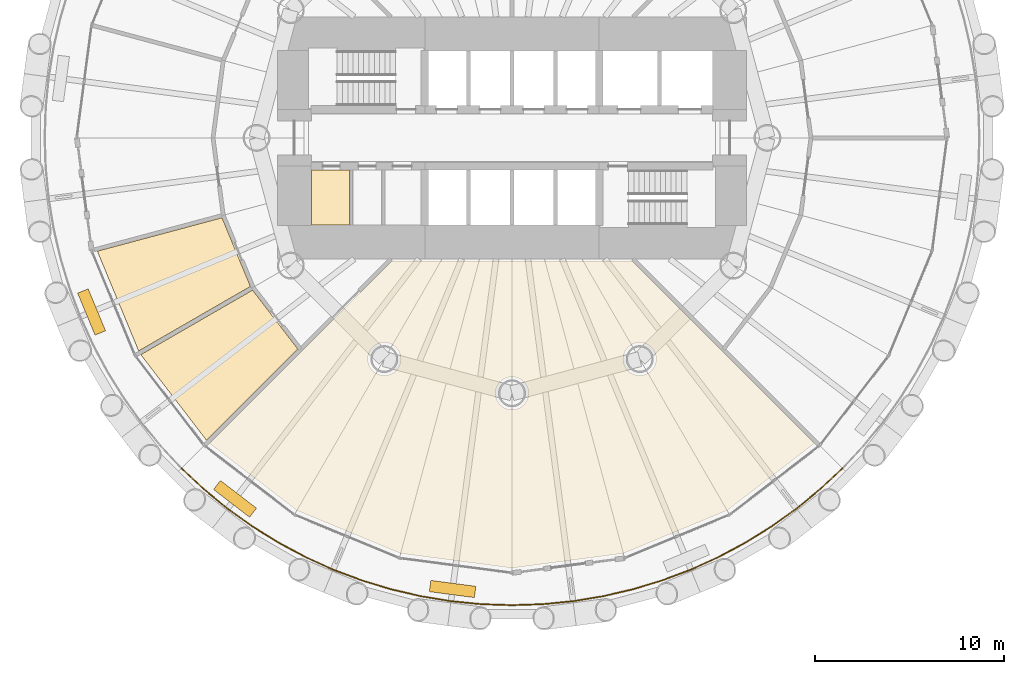
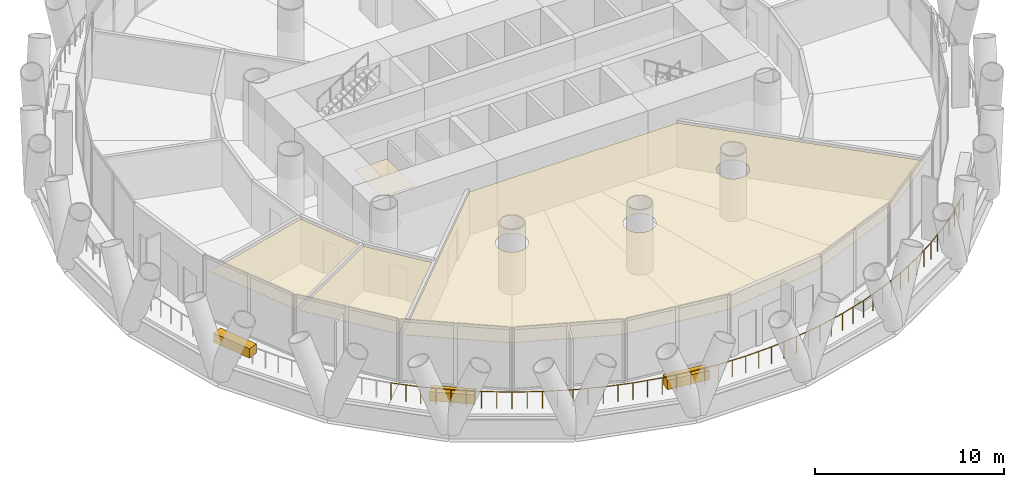
# One storey, part 11 of 14: 7 coverings, 1 railing.
"""IFC4 building model written with IfcOpenShell, lengths in metres."""

from ifc_helpers import new_model, si_unit, direction, frame, origin, origin_2d, place, context, subcontext, project, spatial, polyline, rectangle, circle, outline, extrude, material, layer, layer_set, type_object, element, save


model = new_model("IFC4")

# Units and contexts
model_context = context("Model", 3, precision=1e-05, world=origin(), true_north=direction((0.0, 1.0)))
body_context = subcontext(model_context, "Body", "Model", "MODEL_VIEW")
ifc_project = project(units=[si_unit("LENGTHUNIT", "METRE"), si_unit("AREAUNIT", "SQUARE_METRE"), si_unit("VOLUMEUNIT", "CUBIC_METRE"), si_unit("PLANEANGLEUNIT", "RADIAN"), si_unit("MASSUNIT", "GRAM", prefix="KILO")], contexts=[model_context])

# Site, building, storey
site_placement = place(None, origin())
site = spatial("IfcSite", under=ifc_project, at=site_placement, CompositionType="ELEMENT")
building_placement = place(site_placement, origin())
building = spatial("IfcBuilding", under=site, at=building_placement, Name="Qaws Media Tower", CompositionType="ELEMENT")
storey_placement = place(building_placement, frame((0.0, 0.0, 68.0)))
storey = spatial("IfcBuildingStorey", under=building, at=storey_placement, Name="L14", CompositionType="ELEMENT", Elevation=68.0)

# Railing
ifc_material_1 = material(Name="Stainless steel and glass guard", Category="steel")
railing_type = type_object("IfcRailingType", Name="Balcony guard 1100", PredefinedType="GUARDRAIL", material=ifc_material_1)
railing_placement = place(storey_placement, frame((42.534423828125, 32.534423828125, 0.0)))
element("IfcRailing", 1, at=railing_placement, inside=storey, type_object=railing_type, Name="GR1 balcony guard L14-3", PredefinedType="GUARDRAIL", context=body_context, shape_type="SweptSolid", body=[
    extrude(circle(Radius=0.02392578125, at=origin_2d()), frame((0.0, 0.0, 1.076171875), z_axis=(0.729838590748, -0.683619507807, 0.0), x_axis=(0.683619507807, 0.729838590748, 0.0)), (0.0, 0.0, 1.0), 1.616455078125),
    extrude(circle(Radius=0.02392578125, at=origin_2d()), frame((1.1796875, -1.10498046875, 1.076171875), z_axis=(0.773027789123, -0.63437215989, 0.0), x_axis=(0.63437215989, 0.773027789123, 0.0)), (0.0, 0.0, 1.0), 1.616455078125),
    extrude(circle(Radius=0.02392578125, at=origin_2d()), frame((2.42919921875, -2.13037109375, 1.076171875), z_axis=(0.81284454393, -0.582480684147, 0.0), x_axis=(0.582480684147, 0.81284454393, 0.0)), (0.0, 0.0, 1.0), 1.6162109375),
    extrude(circle(Radius=0.02392578125, at=origin_2d()), frame((3.742919921875, -3.07177734375, 1.076171875), z_axis=(0.849201115053, -0.528069565675, 0.0), x_axis=(0.528069565675, 0.849201115053, 0.0)), (0.0, 0.0, 1.0), 1.6162109375),
    extrude(circle(Radius=0.02392578125, at=origin_2d()), frame((5.115478515625, -3.92529296875, 1.076171875), z_axis=(0.881921925102, -0.471395500641, 0.0), x_axis=(0.471395500641, 0.881921925102, 0.0)), (0.0, 0.0, 1.0), 1.616455078125),
    extrude(circle(Radius=0.02392578125, at=origin_2d()), frame((6.541015625, -4.687255859375, 1.076171875), z_axis=(0.910872765831, -0.412687296227, 0.0), x_axis=(0.412687296227, 0.910872765831, 0.0)), (0.0, 0.0, 1.0), 1.6162109375),
    extrude(circle(Radius=0.02392578125, at=origin_2d()), frame((8.01318359375, -5.354248046875, 1.076171875), z_axis=(0.935925126575, -0.352199031011, 0.0), x_axis=(0.352199031011, 0.935925126575, 0.0)), (0.0, 0.0, 1.0), 1.616455078125),
    extrude(circle(Radius=0.02392578125, at=origin_2d()), frame((9.526123046875, -5.923583984375, 1.076171875), z_axis=(0.956927798723, -0.290326003022, 0.0), x_axis=(0.290326003022, 0.956927798723, 0.0)), (0.0, 0.0, 1.0), 1.6162109375),
    extrude(circle(Radius=0.02392578125, at=origin_2d()), frame((11.07275390625, -6.392822265625, 1.076171875), z_axis=(0.973884647587, -0.227043372937, 0.0), x_axis=(0.227043372937, 0.973884647587, 0.0)), (0.0, 0.0, 1.0), 1.6162109375),
    extrude(circle(Radius=0.02392578125, at=origin_2d()), frame((12.646728515625, -6.759765625, 1.076171875), z_axis=(0.986633686094, -0.16295388754, 0.0), x_axis=(0.16295388754, 0.986633686094, 0.0)), (0.0, 0.0, 1.0), 1.61669921875),
    extrude(circle(Radius=0.02392578125, at=origin_2d()), frame((14.24169921875, -7.023193359375, 1.076171875), z_axis=(0.995182683651, -0.098037881252, 0.0), x_axis=(0.098037881252, 0.995182683651, 0.0)), (0.0, 0.0, 1.0), 1.6162109375),
    extrude(circle(Radius=0.02392578125, at=origin_2d()), frame((15.85009765625, -7.181640625, 1.076171875), z_axis=(0.999467636434, -0.032625813733, 0.0), x_axis=(0.032625813733, 0.999467636434, 0.0)), (0.0, 0.0, 1.0), 1.616455078125),
    extrude(circle(Radius=0.02392578125, at=origin_2d()), frame((17.465576171875, -7.234375, 1.076171875), z_axis=(0.999467636434, 0.032625813733, 0.0), x_axis=(-0.032625813733, 0.999467636434, 0.0)), (0.0, 0.0, 1.0), 1.616455078125),
    extrude(circle(Radius=0.02392578125, at=origin_2d()), frame((19.0810546875, -7.181640625, 1.076171875), z_axis=(0.995182683651, 0.098037881252, 0.0), x_axis=(-0.098037881252, 0.995182683651, 0.0)), (0.0, 0.0, 1.0), 1.6162109375),
    extrude(circle(Radius=0.02392578125, at=origin_2d()), frame((20.689453125, -7.023193359375, 1.076171875), z_axis=(0.986633686094, 0.16295388754, 0.0), x_axis=(-0.16295388754, 0.986633686094, 0.0)), (0.0, 0.0, 1.0), 1.61669921875),
    extrude(circle(Radius=0.02392578125, at=origin_2d()), frame((22.284423828125, -6.759765625, 1.076171875), z_axis=(0.973884647587, 0.227043372937, 0.0), x_axis=(-0.227043372937, 0.973884647587, 0.0)), (0.0, 0.0, 1.0), 1.6162109375),
    extrude(circle(Radius=0.02392578125, at=origin_2d()), frame((23.8583984375, -6.392822265625, 1.076171875), z_axis=(0.956927798723, 0.290326003022, 0.0), x_axis=(-0.290326003022, 0.956927798723, 0.0)), (0.0, 0.0, 1.0), 1.6162109375),
    extrude(circle(Radius=0.02392578125, at=origin_2d()), frame((25.405029296875, -5.923583984375, 1.076171875), z_axis=(0.935925126575, 0.352199031011, 0.0), x_axis=(-0.352199031011, 0.935925126575, 0.0)), (0.0, 0.0, 1.0), 1.616455078125),
    extrude(circle(Radius=0.02392578125, at=origin_2d()), frame((26.91796875, -5.354248046875, 1.076171875), z_axis=(0.910872765831, 0.412687296227, 0.0), x_axis=(-0.412687296227, 0.910872765831, 0.0)), (0.0, 0.0, 1.0), 1.6162109375),
    extrude(circle(Radius=0.02392578125, at=origin_2d()), frame((28.39013671875, -4.687255859375, 1.076171875), z_axis=(0.881921925102, 0.471395500641, 0.0), x_axis=(-0.471395500641, 0.881921925102, 0.0)), (0.0, 0.0, 1.0), 1.616455078125),
    extrude(circle(Radius=0.02392578125, at=origin_2d()), frame((29.815673828125, -3.92529296875, 1.076171875), z_axis=(0.849201115053, 0.528069565675, 0.0), x_axis=(-0.528069565675, 0.849201115053, 0.0)), (0.0, 0.0, 1.0), 1.6162109375),
    extrude(circle(Radius=0.02392578125, at=origin_2d()), frame((31.188232421875, -3.07177734375, 1.076171875), z_axis=(0.81284454393, 0.582480684147, 0.0), x_axis=(-0.582480684147, 0.81284454393, 0.0)), (0.0, 0.0, 1.0), 1.6162109375),
    extrude(circle(Radius=0.02392578125, at=origin_2d()), frame((32.501953125, -2.13037109375, 1.076171875), z_axis=(0.773027789123, 0.63437215989, 0.0), x_axis=(-0.63437215989, 0.773027789123, 0.0)), (0.0, 0.0, 1.0), 1.616455078125),
    extrude(circle(Radius=0.02392578125, at=origin_2d()), frame((33.75146484375, -1.10498046875, 1.076171875), z_axis=(0.729838590748, 0.683619507807, 0.0), x_axis=(-0.683619507807, 0.729838590748, 0.0)), (0.0, 0.0, 1.0), 1.616455078125),
    extrude(circle(Radius=0.02099609375, at=origin_2d()), origin(), (0.0, 0.0, 1.0), 1.052001953125),
    extrude(circle(Radius=0.02099609375, at=origin_2d()), frame((0.58984375, -0.552490234375, 0.0)), (0.0, 0.0, 1.0), 1.052001953125),
    extrude(circle(Radius=0.02099609375, at=origin_2d()), frame((1.1796875, -1.10498046875, 0.0)), (0.0, 0.0, 1.0), 1.052001953125),
    extrude(circle(Radius=0.02099609375, at=origin_2d()), frame((1.804443359375, -1.61767578125, 0.0)), (0.0, 0.0, 1.0), 1.052001953125),
    extrude(circle(Radius=0.02099609375, at=origin_2d()), frame((2.42919921875, -2.13037109375, 0.0)), (0.0, 0.0, 1.0), 1.052001953125),
    extrude(circle(Radius=0.02099609375, at=origin_2d()), frame((3.0859375, -2.60107421875, 0.0)), (0.0, 0.0, 1.0), 1.052001953125),
    extrude(circle(Radius=0.02099609375, at=origin_2d()), frame((3.742919921875, -3.07177734375, 0.0)), (0.0, 0.0, 1.0), 1.052001953125),
    extrude(circle(Radius=0.02099609375, at=origin_2d()), frame((4.42919921875, -3.49853515625, 0.0)), (0.0, 0.0, 1.0), 1.052001953125),
    extrude(circle(Radius=0.02099609375, at=origin_2d()), frame((5.115478515625, -3.92529296875, 0.0)), (0.0, 0.0, 1.0), 1.052001953125),
    extrude(circle(Radius=0.02099609375, at=origin_2d()), frame((5.828125, -4.30615234375, 0.0)), (0.0, 0.0, 1.0), 1.052001953125),
    extrude(circle(Radius=0.02099609375, at=origin_2d()), frame((6.541015625, -4.687255859375, 0.0)), (0.0, 0.0, 1.0), 1.052001953125),
    extrude(circle(Radius=0.02099609375, at=origin_2d()), frame((7.277099609375, -5.020751953125, 0.0)), (0.0, 0.0, 1.0), 1.052001953125),
    extrude(circle(Radius=0.02099609375, at=origin_2d()), frame((8.01318359375, -5.354248046875, 0.0)), (0.0, 0.0, 1.0), 1.052001953125),
    extrude(circle(Radius=0.02099609375, at=origin_2d()), frame((8.76953125, -5.638916015625, 0.0)), (0.0, 0.0, 1.0), 1.052001953125),
    extrude(circle(Radius=0.02099609375, at=origin_2d()), frame((9.526123046875, -5.923583984375, 0.0)), (0.0, 0.0, 1.0), 1.052001953125),
    extrude(circle(Radius=0.02099609375, at=origin_2d()), frame((10.29931640625, -6.158203125, 0.0)), (0.0, 0.0, 1.0), 1.052001953125),
    extrude(circle(Radius=0.02099609375, at=origin_2d()), frame((11.07275390625, -6.392822265625, 0.0)), (0.0, 0.0, 1.0), 1.052001953125),
    extrude(circle(Radius=0.02099609375, at=origin_2d()), frame((11.85986328125, -6.576171875, 0.0)), (0.0, 0.0, 1.0), 1.052001953125),
    extrude(circle(Radius=0.02099609375, at=origin_2d()), frame((12.646728515625, -6.759765625, 0.0)), (0.0, 0.0, 1.0), 1.052001953125),
    extrude(circle(Radius=0.02099609375, at=origin_2d()), frame((13.4443359375, -6.8916015625, 0.0)), (0.0, 0.0, 1.0), 1.052001953125),
    extrude(circle(Radius=0.02099609375, at=origin_2d()), frame((14.24169921875, -7.023193359375, 0.0)), (0.0, 0.0, 1.0), 1.052001953125),
    extrude(circle(Radius=0.02099609375, at=origin_2d()), frame((15.0458984375, -7.1025390625, 0.0)), (0.0, 0.0, 1.0), 1.052001953125),
    extrude(circle(Radius=0.02099609375, at=origin_2d()), frame((15.85009765625, -7.181640625, 0.0)), (0.0, 0.0, 1.0), 1.052001953125),
    extrude(circle(Radius=0.02099609375, at=origin_2d()), frame((16.65771484375, -7.2080078125, 0.0)), (0.0, 0.0, 1.0), 1.052001953125),
    extrude(circle(Radius=0.02099609375, at=origin_2d()), frame((17.465576171875, -7.234375, 0.0)), (0.0, 0.0, 1.0), 1.052001953125),
    extrude(circle(Radius=0.02099609375, at=origin_2d()), frame((18.2734375, -7.2080078125, 0.0)), (0.0, 0.0, 1.0), 1.052001953125),
    extrude(circle(Radius=0.02099609375, at=origin_2d()), frame((19.0810546875, -7.181640625, 0.0)), (0.0, 0.0, 1.0), 1.052001953125),
    extrude(circle(Radius=0.02099609375, at=origin_2d()), frame((19.88525390625, -7.1025390625, 0.0)), (0.0, 0.0, 1.0), 1.052001953125),
    extrude(circle(Radius=0.02099609375, at=origin_2d()), frame((20.689453125, -7.023193359375, 0.0)), (0.0, 0.0, 1.0), 1.052001953125),
    extrude(circle(Radius=0.02099609375, at=origin_2d()), frame((21.48681640625, -6.8916015625, 0.0)), (0.0, 0.0, 1.0), 1.052001953125),
    extrude(circle(Radius=0.02099609375, at=origin_2d()), frame((22.284423828125, -6.759765625, 0.0)), (0.0, 0.0, 1.0), 1.052001953125),
    extrude(circle(Radius=0.02099609375, at=origin_2d()), frame((23.0712890625, -6.576171875, 0.0)), (0.0, 0.0, 1.0), 1.052001953125),
    extrude(circle(Radius=0.02099609375, at=origin_2d()), frame((23.8583984375, -6.392822265625, 0.0)), (0.0, 0.0, 1.0), 1.052001953125),
    extrude(circle(Radius=0.02099609375, at=origin_2d()), frame((24.6318359375, -6.158203125, 0.0)), (0.0, 0.0, 1.0), 1.052001953125),
    extrude(circle(Radius=0.02099609375, at=origin_2d()), frame((25.405029296875, -5.923583984375, 0.0)), (0.0, 0.0, 1.0), 1.052001953125),
    extrude(circle(Radius=0.02099609375, at=origin_2d()), frame((26.16162109375, -5.638916015625, 0.0)), (0.0, 0.0, 1.0), 1.052001953125),
    extrude(circle(Radius=0.02099609375, at=origin_2d()), frame((26.91796875, -5.354248046875, 0.0)), (0.0, 0.0, 1.0), 1.052001953125),
    extrude(circle(Radius=0.02099609375, at=origin_2d()), frame((27.654052734375, -5.020751953125, 0.0)), (0.0, 0.0, 1.0), 1.052001953125),
    extrude(circle(Radius=0.02099609375, at=origin_2d()), frame((28.39013671875, -4.687255859375, 0.0)), (0.0, 0.0, 1.0), 1.052001953125),
    extrude(circle(Radius=0.02099609375, at=origin_2d()), frame((29.10302734375, -4.30615234375, 0.0)), (0.0, 0.0, 1.0), 1.052001953125),
    extrude(circle(Radius=0.02099609375, at=origin_2d()), frame((29.815673828125, -3.92529296875, 0.0)), (0.0, 0.0, 1.0), 1.052001953125),
    extrude(circle(Radius=0.02099609375, at=origin_2d()), frame((30.501953125, -3.49853515625, 0.0)), (0.0, 0.0, 1.0), 1.052001953125),
    extrude(circle(Radius=0.02099609375, at=origin_2d()), frame((31.188232421875, -3.07177734375, 0.0)), (0.0, 0.0, 1.0), 1.052001953125),
    extrude(circle(Radius=0.02099609375, at=origin_2d()), frame((31.84521484375, -2.60107421875, 0.0)), (0.0, 0.0, 1.0), 1.052001953125),
    extrude(circle(Radius=0.02099609375, at=origin_2d()), frame((32.501953125, -2.13037109375, 0.0)), (0.0, 0.0, 1.0), 1.052001953125),
    extrude(circle(Radius=0.02099609375, at=origin_2d()), frame((33.126708984375, -1.61767578125, 0.0)), (0.0, 0.0, 1.0), 1.052001953125),
    extrude(circle(Radius=0.02099609375, at=origin_2d()), frame((33.75146484375, -1.10498046875, 0.0)), (0.0, 0.0, 1.0), 1.052001953125),
    extrude(circle(Radius=0.02099609375, at=origin_2d()), frame((34.34130859375, -0.552490234375, 0.0)), (0.0, 0.0, 1.0), 1.052001953125),
    extrude(circle(Radius=0.02099609375, at=origin_2d()), frame((34.93115234375, 0.0, 0.0)), (0.0, 0.0, 1.0), 1.052001953125),
])

# Coverings
ifc_material_2 = material(Name="600 x 600 mineral fibre tiles in exposed grid, suspended", Category="mineral fibre")
ifc_layer_1 = layer(ifc_material_2, 0.02001953125)
ifc_layer_set_1 = layer_set([ifc_layer_1], Name="Mineral fibre tile ceiling 20")
covering_type_1 = type_object("IfcCoveringType", Name="Mineral fibre tile ceiling 20", PredefinedType="CEILING", material=ifc_layer_set_1)
covering_1_placement = place(storey_placement, frame((0.0, 0.0, 2.85009765625)))
element("IfcCovering", 2, at=covering_1_placement, inside=storey, type_object=covering_type_1, Name="CL1 ceiling L14-07 Gents toilets", PredefinedType="CEILING", context=body_context, shape_type="SweptSolid", body=[
    extrude(outline(polyline([(38.0830078125, 44.010986328125), (44.672119140625, 45.776611328125), (46.175048828125, 42.148193359375), (40.267333984375, 38.7373046875), (38.0830078125, 44.010986328125)])), origin(), (0.0, 0.0, 1.0), 0.02001953125),
])
covering_2_placement = place(storey_placement, frame((0.0, 0.0, 2.85009765625)))
element("IfcCovering", 3, at=covering_2_placement, inside=storey, type_object=covering_type_1, Name="CL1 ceiling L14-08 Ladies toilets", PredefinedType="CEILING", context=body_context, shape_type="SweptSolid", body=[
    extrude(outline(polyline([(40.3798828125, 38.54248046875), (46.28759765625, 41.953125), (48.678466796875, 38.83740234375), (43.854736328125, 34.013916015625), (40.3798828125, 38.54248046875)])), origin(), (0.0, 0.0, 1.0), 0.02001953125),
])
covering_3_placement = place(storey_placement, frame((0.0, 0.0, 2.85009765625)))
element("IfcCovering", 4, at=covering_3_placement, inside=storey, type_object=covering_type_1, Name="CL1 ceiling L14-09 Graphics workroom", PredefinedType="CEILING", context=body_context, shape_type="SweptSolid", body=[
    extrude(outline(polyline([(66.353515625, 43.487548828125), (75.986083984375, 33.854736328125), (71.36767578125, 30.310791015625), (65.88427734375, 28.039306640625), (60.0, 27.264892578125), (54.11572265625, 28.039306640625), (48.63232421875, 30.310791015625), (44.013916015625, 33.854736328125), (53.646484375, 43.487548828125), (66.353515625, 43.487548828125)]), holes=[polyline([(54.09130859375, 38.083251953125), (54.113525390625, 38.195068359375), (54.12109375, 38.30859375), (54.113525390625, 38.42236328125), (54.09130859375, 38.5341796875), (54.0546875, 38.64208984375), (54.00439453125, 38.744140625), (53.94091796875, 38.8388671875), (53.865966796875, 38.924560546875), (53.7802734375, 38.999755859375), (53.685546875, 39.06298828125), (53.583251953125, 39.11328125), (53.475341796875, 39.14990234375), (53.36376953125, 39.172119140625), (53.25, 39.1796875), (53.13623046875, 39.172119140625), (53.024658203125, 39.14990234375), (52.916748046875, 39.11328125), (52.814453125, 39.06298828125), (52.7197265625, 38.999755859375), (52.634033203125, 38.924560546875), (52.55908203125, 38.8388671875), (52.49560546875, 38.744140625), (52.4453125, 38.64208984375), (52.40869140625, 38.5341796875), (52.386474609375, 38.42236328125), (52.37890625, 38.30859375), (52.386474609375, 38.195068359375), (52.40869140625, 38.083251953125), (52.4453125, 37.975341796875), (52.49560546875, 37.873291015625), (52.55908203125, 37.7783203125), (52.634033203125, 37.69287109375), (52.7197265625, 37.61767578125), (52.814453125, 37.55419921875), (52.916748046875, 37.50390625), (53.024658203125, 37.46728515625), (53.13623046875, 37.445068359375), (53.25, 37.437744140625), (53.36376953125, 37.445068359375), (53.475341796875, 37.46728515625), (53.583251953125, 37.50390625), (53.685546875, 37.55419921875), (53.7802734375, 37.61767578125), (53.865966796875, 37.69287109375), (53.94091796875, 37.7783203125), (54.00439453125, 37.873291015625), (54.0546875, 37.975341796875), (54.09130859375, 38.083251953125)]), polyline([(60.84130859375, 36.274658203125), (60.863525390625, 36.38623046875), (60.87109375, 36.5), (60.863525390625, 36.61376953125), (60.84130859375, 36.725341796875), (60.8046875, 36.833251953125), (60.75439453125, 36.935546875), (60.69091796875, 37.0302734375), (60.615966796875, 37.115966796875), (60.5302734375, 37.19091796875), (60.435546875, 37.25439453125), (60.333251953125, 37.3046875), (60.225341796875, 37.34130859375), (60.11376953125, 37.363525390625), (60.0, 37.37109375), (59.88623046875, 37.363525390625), (59.774658203125, 37.34130859375), (59.666748046875, 37.3046875), (59.564453125, 37.25439453125), (59.4697265625, 37.19091796875), (59.384033203125, 37.115966796875), (59.30908203125, 37.0302734375), (59.24560546875, 36.935546875), (59.1953125, 36.833251953125), (59.15869140625, 36.725341796875), (59.136474609375, 36.61376953125), (59.12890625, 36.5), (59.136474609375, 36.38623046875), (59.15869140625, 36.274658203125), (59.1953125, 36.166748046875), (59.24560546875, 36.064453125), (59.30908203125, 35.9697265625), (59.384033203125, 35.884033203125), (59.4697265625, 35.80908203125), (59.564453125, 35.74560546875), (59.666748046875, 35.6953125), (59.774658203125, 35.65869140625), (59.88623046875, 35.636474609375), (60.0, 35.62890625), (60.11376953125, 35.636474609375), (60.225341796875, 35.65869140625), (60.333251953125, 35.6953125), (60.435546875, 35.74560546875), (60.5302734375, 35.80908203125), (60.615966796875, 35.884033203125), (60.69091796875, 35.9697265625), (60.75439453125, 36.064453125), (60.8046875, 36.166748046875), (60.84130859375, 36.274658203125)]), polyline([(67.5546875, 37.975341796875), (67.59130859375, 38.083251953125), (67.613525390625, 38.195068359375), (67.62109375, 38.30859375), (67.613525390625, 38.42236328125), (67.59130859375, 38.5341796875), (67.5546875, 38.64208984375), (67.50439453125, 38.744140625), (67.44091796875, 38.8388671875), (67.365966796875, 38.924560546875), (67.2802734375, 38.999755859375), (67.185546875, 39.06298828125), (67.083251953125, 39.11328125), (66.975341796875, 39.14990234375), (66.86376953125, 39.172119140625), (66.75, 39.1796875), (66.63623046875, 39.172119140625), (66.524658203125, 39.14990234375), (66.416748046875, 39.11328125), (66.314453125, 39.06298828125), (66.2197265625, 38.999755859375), (66.134033203125, 38.924560546875), (66.05908203125, 38.8388671875), (65.99560546875, 38.744140625), (65.9453125, 38.64208984375), (65.90869140625, 38.5341796875), (65.886474609375, 38.42236328125), (65.87890625, 38.30859375), (65.886474609375, 38.195068359375), (65.90869140625, 38.083251953125), (65.9453125, 37.975341796875), (65.99560546875, 37.873291015625), (66.05908203125, 37.7783203125), (66.134033203125, 37.69287109375), (66.2197265625, 37.61767578125), (66.314453125, 37.55419921875), (66.416748046875, 37.50390625), (66.524658203125, 37.46728515625), (66.63623046875, 37.445068359375), (66.75, 37.437744140625), (66.86376953125, 37.445068359375), (66.975341796875, 37.46728515625), (67.083251953125, 37.50390625), (67.185546875, 37.55419921875), (67.2802734375, 37.61767578125), (67.365966796875, 37.69287109375), (67.44091796875, 37.7783203125), (67.50439453125, 37.873291015625), (67.5546875, 37.975341796875)])]), origin(), (0.0, 0.0, 1.0), 0.02001953125),
])
ifc_material_3 = material(Name="Precast concrete planter with trailing planting", Category="concrete")
ifc_layer_2 = layer(ifc_material_3, 0.60009765625)
ifc_layer_set_2 = layer_set([ifc_layer_2], Name="Planter 2400x600")
covering_type_2 = type_object("IfcCoveringType", Name="Planter 2400x600", PredefinedType="USERDEFINED", material=ifc_layer_set_2)
for number, where, z_axis, x_axis, name in (
    (5, (37.78076171875, 40.79638671875, 0.0), (0.0, 0.0, 1.0), (0.382683432365, -0.923879532511, 0.0), "PL1 balcony planter L14-07"),
    (6, (45.359375, 30.919921875, 0.0), (0.0, 0.0, 1.0), (0.793353340291, -0.608761429009, 0.0), "PL1 balcony planter L14-08"),
    (7, (56.86083984375, 26.15576171875, 0.0), (0.0, 0.0, 1.0), (0.991444861374, -0.13052619222, 0.0), "PL1 balcony planter L14-09"),
):
    element("IfcCovering", number, at=place(storey_placement, frame(where, z_axis=z_axis, x_axis=x_axis)), inside=storey, type_object=covering_type_2, Name=name, ObjectType="PLANTER", PredefinedType="USERDEFINED", context=body_context, shape_type="SweptSolid", body=[
        extrude(rectangle(XDim=2.39990234375, YDim=0.60009765625, at=origin_2d()), origin(), (0.0, 0.0, 1.0), 0.60009765625),
    ])
ifc_material_4 = material(Name="Two layers 12.5 moisture-resistant plasterboard on suspended metal furring", Category="gypsum")
ifc_layer_3 = layer(ifc_material_4, 0.02490234375)
ifc_layer_set_3 = layer_set([ifc_layer_3], Name="Plasterboard ceiling 25")
covering_type_3 = type_object("IfcCoveringType", Name="Plasterboard ceiling 25", PredefinedType="CEILING", material=ifc_layer_set_3)
covering_4_placement = place(storey_placement, frame((0.0, 0.0, 2.85009765625)))
element("IfcCovering", 8, at=covering_4_placement, inside=storey, type_object=covering_type_3, Name="CL2 ceiling L14-C04 WC male", PredefinedType="CEILING", context=body_context, shape_type="SweptSolid", body=[
    extrude(outline(polyline([(49.39990234375, 45.39990234375), (49.39990234375, 48.300048828125), (51.39990234375, 48.300048828125), (51.39990234375, 45.39990234375), (49.39990234375, 45.39990234375)])), origin(), (0.0, 0.0, 1.0), 0.02490234375),
])

save(model, "model.ifc")
